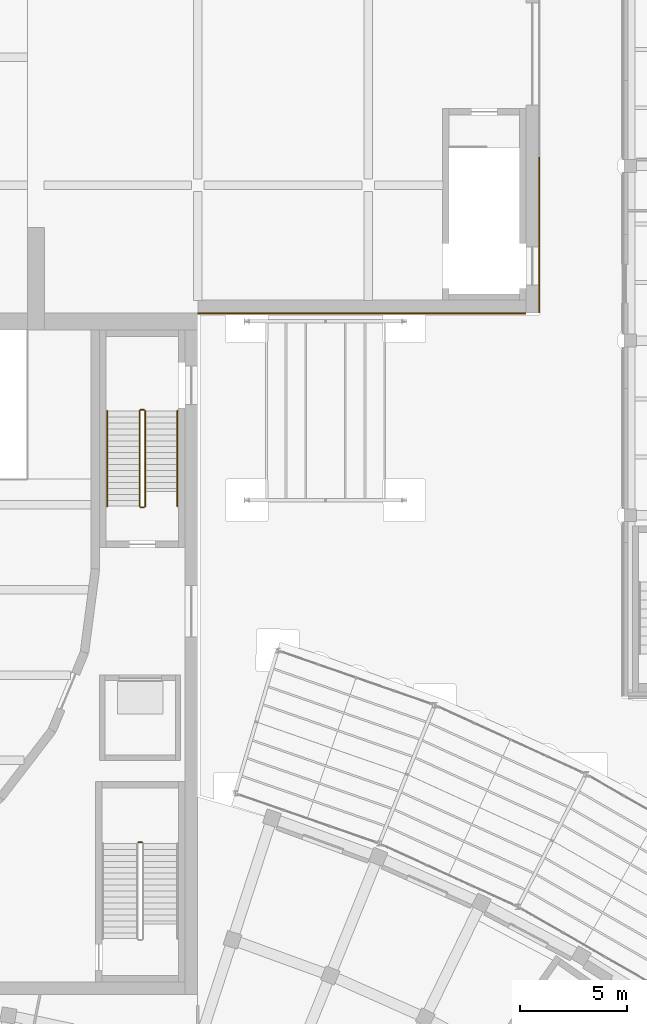
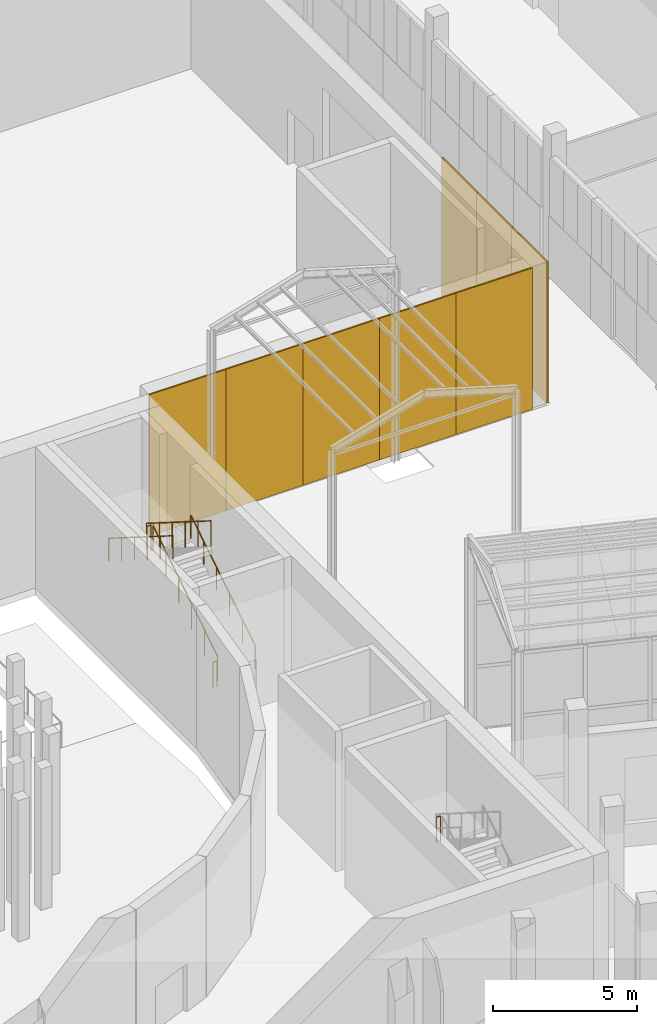
# One storey, part 135 of 155: 8 coverings, 7 railings.
"""IFC4 building model written with IfcOpenShell, lengths in metres."""

from ifc_helpers import new_model, si_unit, direction, frame, origin, origin_2d, place, context, subcontext, project, spatial, rectangle, circle, extrude, material, layer, layer_set, type_object, element, save


model = new_model("IFC4")

# Units and contexts
model_context = context("Model", 3, precision=1e-05, world=origin(), true_north=direction((0.0, 1.0)))
body_context = subcontext(model_context, "Body", "Model", "MODEL_VIEW")
ifc_project = project(units=[si_unit("LENGTHUNIT", "METRE"), si_unit("AREAUNIT", "SQUARE_METRE"), si_unit("VOLUMEUNIT", "CUBIC_METRE"), si_unit("PLANEANGLEUNIT", "RADIAN"), si_unit("MASSUNIT", "GRAM", prefix="KILO")], contexts=[model_context])

# Site, building, storey
site_placement = place(None, origin())
site = spatial("IfcSite", under=ifc_project, at=site_placement, CompositionType="ELEMENT")
building_placement = place(site_placement, origin())
building = spatial("IfcBuilding", under=site, at=building_placement, Name="Lunette Opera House", CompositionType="ELEMENT")
storey_placement = place(building_placement, origin())
storey = spatial("IfcBuildingStorey", under=building, at=storey_placement, Name="L00", CompositionType="ELEMENT", Elevation=0.0)

# Railings
ifc_material_1 = material(Name="Steel S355", Category="steel")
railing_type_1 = type_object("IfcRailingType", Name="STAIR GUARD 1100", PredefinedType="GUARDRAIL", material=ifc_material_1)
railing_1_placement = place(storey_placement, frame((113.3798828125, 71.14990234375, 3.0)))
element("IfcRailing", 1, at=railing_1_placement, inside=storey, type_object=railing_type_1, Name="L00 ST8 stair guard 2", PredefinedType="GUARDRAIL", context=body_context, shape_type="SweptSolid", body=[
    extrude(circle(Radius=0.02392578125, at=origin_2d()), frame((0.0, 0.0, 1.076171875), z_axis=(-1.0, 0.0, 0.0), x_axis=(0.0, -1.0, 0.0)), (0.0, 0.0, 1.0), 0.159912109375),
    extrude(circle(Radius=0.02099609375, at=origin_2d()), origin(), (0.0, 0.0, 1.0), 1.052001953125),
    extrude(circle(Radius=0.02099609375, at=origin_2d()), frame((-0.159912109375, 0.0, 0.0)), (0.0, 0.0, 1.0), 1.052001953125),
])
railing_2_placement = place(storey_placement, frame((113.530029296875, 86.919921875, 0.176513671875)))
element("IfcRailing", 2, at=railing_2_placement, inside=storey, type_object=railing_type_1, Name="L00 ST9 stair guard 1", PredefinedType="GUARDRAIL", context=body_context, shape_type="SweptSolid", body=[
    extrude(circle(Radius=0.02392578125, at=origin_2d()), frame((0.0, 0.0, 1.076171875), z_axis=(0.0, 0.845997938375, 0.533186166611), x_axis=(-1.0, 0.0, 0.0)), (0.0, 0.0, 1.0), 5.29541015625),
    extrude(circle(Radius=0.02099609375, at=origin_2d()), origin(), (0.0, 0.0, 1.0), 1.052001953125),
    extrude(circle(Radius=0.02099609375, at=origin_2d()), frame((0.0, 0.89599609375, 0.564697265625)), (0.0, 0.0, 1.0), 1.052001953125),
    extrude(circle(Radius=0.02099609375, at=origin_2d()), frame((0.0, 1.7919921875, 1.12939453125)), (0.0, 0.0, 1.0), 1.052001953125),
    extrude(circle(Radius=0.02099609375, at=origin_2d()), frame((0.0, 2.68798828125, 1.694091796875)), (0.0, 0.0, 1.0), 1.052001953125),
    extrude(circle(Radius=0.02099609375, at=origin_2d()), frame((0.0, 3.583984375, 2.2587890625)), (0.0, 0.0, 1.0), 1.052001953125),
    extrude(circle(Radius=0.02099609375, at=origin_2d()), frame((0.0, 4.47998046875, 2.823486328125)), (0.0, 0.0, 1.0), 1.052001953125),
])
railing_3_placement = place(storey_placement, frame((113.47998046875, 91.449951171875, 3.0)))
element("IfcRailing", 3, at=railing_3_placement, inside=storey, type_object=railing_type_1, Name="L00 ST9 stair guard 2", PredefinedType="GUARDRAIL", context=body_context, shape_type="SweptSolid", body=[
    extrude(circle(Radius=0.02392578125, at=origin_2d()), frame((0.0, 0.0, 1.076171875), z_axis=(-1.0, 0.0, 0.0), x_axis=(0.0, -1.0, 0.0)), (0.0, 0.0, 1.0), 0.159912109375),
    extrude(circle(Radius=0.02099609375, at=origin_2d()), origin(), (0.0, 0.0, 1.0), 1.052001953125),
    extrude(circle(Radius=0.02099609375, at=origin_2d()), frame((-0.159912109375, 0.0, 0.0)), (0.0, 0.0, 1.0), 1.052001953125),
])
railing_4_placement = place(storey_placement, frame((113.27001953125, 91.39990234375, 3.176513671875)))
element("IfcRailing", 4, at=railing_4_placement, inside=storey, type_object=railing_type_1, Name="L00 ST9 stair guard 3", PredefinedType="GUARDRAIL", context=body_context, shape_type="SweptSolid", body=[
    extrude(circle(Radius=0.02392578125, at=origin_2d()), frame((0.0, 0.0, 1.076171875), z_axis=(0.0, -0.845997938375, 0.533186166611), x_axis=(1.0, 0.0, 0.0)), (0.0, 0.0, 1.0), 5.29541015625),
    extrude(circle(Radius=0.02099609375, at=origin_2d()), origin(), (0.0, 0.0, 1.0), 1.052001953125),
    extrude(circle(Radius=0.02099609375, at=origin_2d()), frame((0.0, -0.89599609375, 0.564697265625)), (0.0, 0.0, 1.0), 1.052001953125),
    extrude(circle(Radius=0.02099609375, at=origin_2d()), frame((0.0, -1.7919921875, 1.12939453125)), (0.0, 0.0, 1.0), 1.052001953125),
    extrude(circle(Radius=0.02099609375, at=origin_2d()), frame((0.0, -2.68798828125, 1.694091796875)), (0.0, 0.0, 1.0), 1.052001953125),
    extrude(circle(Radius=0.02099609375, at=origin_2d()), frame((0.0, -3.583984375, 2.2587890625)), (0.0, 0.0, 1.0), 1.052001953125),
    extrude(circle(Radius=0.02099609375, at=origin_2d()), frame((0.0, -4.47998046875, 2.823486328125)), (0.0, 0.0, 1.0), 1.052001953125),
])
railing_5_placement = place(storey_placement, frame((113.47998046875, 86.8701171875, 0.0)))
element("IfcRailing", 5, at=railing_5_placement, inside=storey, type_object=railing_type_1, Name="L00 ST9 stair guard 4", PredefinedType="GUARDRAIL", context=body_context, shape_type="SweptSolid", body=[
    extrude(circle(Radius=0.02392578125, at=origin_2d()), frame((0.0, 0.0, 1.076171875), z_axis=(-1.0, 0.0, 0.0), x_axis=(0.0, -1.0, 0.0)), (0.0, 0.0, 1.0), 0.159912109375),
    extrude(circle(Radius=0.02099609375, at=origin_2d()), origin(), (0.0, 0.0, 1.0), 1.052001953125),
    extrude(circle(Radius=0.02099609375, at=origin_2d()), frame((-0.159912109375, 0.0, 0.0)), (0.0, 0.0, 1.0), 1.052001953125),
])
ifc_material_2 = material(Name="Steel S355", Category="steel")
railing_type_2 = type_object("IfcRailingType", Name="STAIR HANDRAIL 1000", PredefinedType="HANDRAIL", material=ifc_material_2)
railing_6_placement = place(storey_placement, frame((115.050048828125, 86.919921875, 0.176513671875)))
element("IfcRailing", 6, at=railing_6_placement, inside=storey, type_object=railing_type_2, Name="L00 ST9 stair handrail 1", PredefinedType="HANDRAIL", context=body_context, shape_type="SweptSolid", body=[
    extrude(circle(Radius=0.02392578125, at=origin_2d()), frame((0.0, 0.0, 0.97607421875), z_axis=(0.0, 0.845997938375, 0.533186166611), x_axis=(-1.0, 0.0, 0.0)), (0.0, 0.0, 1.0), 5.29541015625),
    extrude(circle(Radius=0.02099609375, at=origin_2d()), origin(), (0.0, 0.0, 1.0), 0.951904296875),
    extrude(circle(Radius=0.02099609375, at=origin_2d()), frame((0.0, 0.89599609375, 0.564697265625)), (0.0, 0.0, 1.0), 0.951904296875),
    extrude(circle(Radius=0.02099609375, at=origin_2d()), frame((0.0, 1.7919921875, 1.12939453125)), (0.0, 0.0, 1.0), 0.951904296875),
    extrude(circle(Radius=0.02099609375, at=origin_2d()), frame((0.0, 2.68798828125, 1.694091796875)), (0.0, 0.0, 1.0), 0.951904296875),
    extrude(circle(Radius=0.02099609375, at=origin_2d()), frame((0.0, 3.583984375, 2.2587890625)), (0.0, 0.0, 1.0), 0.951904296875),
    extrude(circle(Radius=0.02099609375, at=origin_2d()), frame((0.0, 4.47998046875, 2.823486328125)), (0.0, 0.0, 1.0), 0.951904296875),
])
railing_7_placement = place(storey_placement, frame((111.75, 91.39990234375, 3.176513671875)))
element("IfcRailing", 7, at=railing_7_placement, inside=storey, type_object=railing_type_2, Name="L00 ST9 stair handrail 2", PredefinedType="HANDRAIL", context=body_context, shape_type="SweptSolid", body=[
    extrude(circle(Radius=0.02392578125, at=origin_2d()), frame((0.0, 0.0, 0.97607421875), z_axis=(0.0, -0.845997938375, 0.533186166611), x_axis=(1.0, 0.0, 0.0)), (0.0, 0.0, 1.0), 5.29541015625),
    extrude(circle(Radius=0.02099609375, at=origin_2d()), origin(), (0.0, 0.0, 1.0), 0.951904296875),
    extrude(circle(Radius=0.02099609375, at=origin_2d()), frame((0.0, -0.89599609375, 0.564697265625)), (0.0, 0.0, 1.0), 0.951904296875),
    extrude(circle(Radius=0.02099609375, at=origin_2d()), frame((0.0, -1.7919921875, 1.12939453125)), (0.0, 0.0, 1.0), 0.951904296875),
    extrude(circle(Radius=0.02099609375, at=origin_2d()), frame((0.0, -2.68798828125, 1.694091796875)), (0.0, 0.0, 1.0), 0.951904296875),
    extrude(circle(Radius=0.02099609375, at=origin_2d()), frame((0.0, -3.583984375, 2.2587890625)), (0.0, 0.0, 1.0), 0.951904296875),
    extrude(circle(Radius=0.02099609375, at=origin_2d()), frame((0.0, -4.47998046875, 2.823486328125)), (0.0, 0.0, 1.0), 0.951904296875),
])

# Coverings
ifc_material_3 = material(Name="Aluminium standing seam cladding", Category="aluminium")
ifc_layer = layer(ifc_material_3, 0.06005859375)
ifc_layer_set = layer_set([ifc_layer], Name="Aluminium standing seam cladding")
covering_type = type_object("IfcCoveringType", Name="STANDING SEAM CLADDING 60", PredefinedType="CLADDING", material=ifc_layer_set)
for number, where, z_axis, x_axis, name in (
    (8, (132.030029296875, 97.218994140625, 0.0), (0.0, 0.0, 1.0), (0.0, 1.0, 0.0), "Standing seam cladding SE-E-1 L00 00"),
    (9, (132.030029296875, 99.656005859375, 0.0), (0.0, 0.0, 1.0), (0.0, 1.0, 0.0), "Standing seam cladding SE-E-1 L00 01"),
    (10, (132.030029296875, 102.093994140625, 0.0), (0.0, 0.0, 1.0), (0.0, 1.0, 0.0), "Standing seam cladding SE-E-1 L00 02"),
):
    element("IfcCovering", number, at=place(storey_placement, frame(where, z_axis=z_axis, x_axis=x_axis)), inside=storey, type_object=covering_type, Name=name, PredefinedType="CLADDING", context=body_context, shape_type="SweptSolid", body=[
        extrude(rectangle(XDim=2.43701171875, YDim=0.06005859375, at=origin_2d()), origin(), (0.0, 0.0, 1.0), 6.0),
    ])
for number, where, z_axis, x_axis, name in (
    (11, (117.549072265625, 95.969970703125, 0.0), (0.0, 0.0, 1.0), (1.0, 0.0, 0.0), "Standing seam cladding SE-S-1 L00 00"),
    (12, (120.626953125, 95.969970703125, 0.0), (0.0, 0.0, 1.0), (1.0, 0.0, 0.0), "Standing seam cladding SE-S-1 L00 01"),
    (13, (123.705078125, 95.969970703125, 0.0), (0.0, 0.0, 1.0), (1.0, 0.0, 0.0), "Standing seam cladding SE-S-1 L00 02"),
    (14, (126.782958984375, 95.969970703125, 0.0), (0.0, 0.0, 1.0), (1.0, 0.0, 0.0), "Standing seam cladding SE-S-1 L00 03"),
    (15, (129.861083984375, 95.969970703125, 0.0), (0.0, 0.0, 1.0), (1.0, 0.0, 0.0), "Standing seam cladding SE-S-1 L00 04"),
):
    element("IfcCovering", number, at=place(storey_placement, frame(where, z_axis=z_axis, x_axis=x_axis)), inside=storey, type_object=covering_type, Name=name, PredefinedType="CLADDING", context=body_context, shape_type="SweptSolid", body=[
        extrude(rectangle(XDim=3.077880859375, YDim=0.06005859375, at=origin_2d()), origin(), (0.0, 0.0, 1.0), 6.0),
    ])

save(model, "model.ifc")
